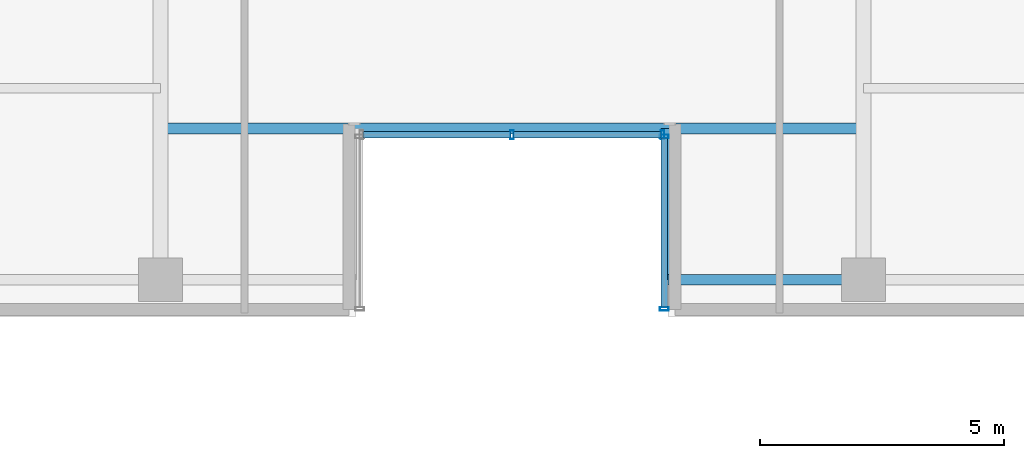
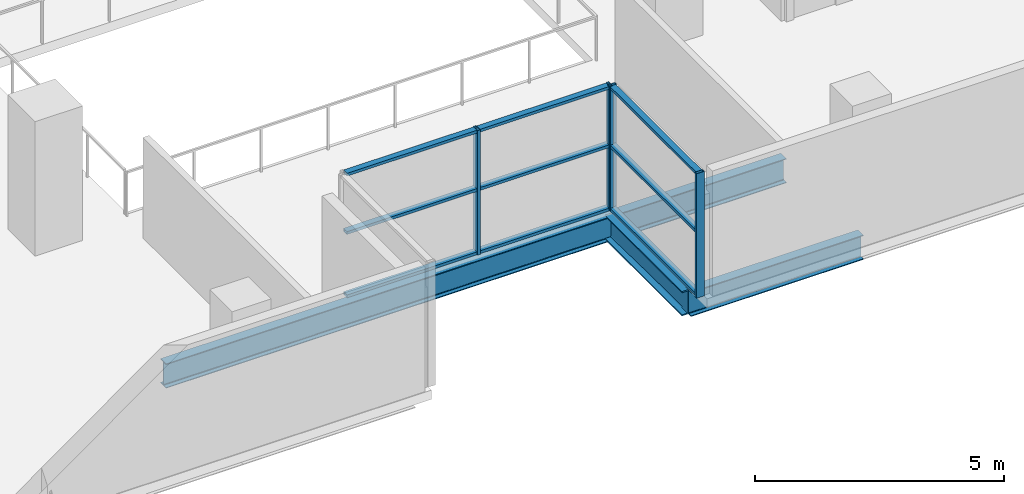
# One storey, part 9 of 30: 13 members, 3 beams, 2 elements without a shape of their own.
"""IFC4 building model written with IfcOpenShell, lengths in metres."""

from ifc_helpers import new_model, si_unit, direction, frame, origin, origin_2d, place, context, subcontext, project, spatial, hollow_rectangle, i_section, extrude, source, transform, mapped, material, layer, layer_set, material_profile, profile_set, type_object, element, aggregate, save


model = new_model("IFC4")

# Units and contexts
model_context = context("Model", 3, precision=1e-05, world=origin(), true_north=direction((0.0, 1.0)))
body_context = subcontext(model_context, "Body", "Model", "MODEL_VIEW")
ifc_project = project(units=[si_unit("LENGTHUNIT", "METRE"), si_unit("AREAUNIT", "SQUARE_METRE"), si_unit("VOLUMEUNIT", "CUBIC_METRE"), si_unit("PLANEANGLEUNIT", "RADIAN"), si_unit("MASSUNIT", "GRAM", prefix="KILO")], contexts=[model_context])

# Site, building, storey
site_placement = place(None, origin())
site = spatial("IfcSite", under=ifc_project, at=site_placement, CompositionType="ELEMENT")
building_placement = place(site_placement, origin())
building = spatial("IfcBuilding", under=site, at=building_placement, Name="Zarnakvel Exchange Tower", CompositionType="ELEMENT")
storey_placement = place(building_placement, frame((0.0, 0.0, 34.0)))
storey = spatial("IfcBuildingStorey", under=building, at=storey_placement, Name="L08", CompositionType="ELEMENT", Elevation=34.0)

# Beams
ifc_material_1 = material(Name="Steel S355", Category="steel")
ifc_material_profile_1 = material_profile(ifc_material_1, i_section(OverallWidth=0.300048828125, OverallDepth=0.60009765625, WebThickness=0.015380859375, FlangeThickness=0.030029296875, FilletRadius=0.027099609375, at=origin_2d()))
ifc_profile_set_1 = profile_set([ifc_material_profile_1], Name="Steel S355")
beam_type_1 = type_object("IfcBeamType", Name="G-04", PredefinedType="BEAM", material=ifc_profile_set_1)
beam_1_placement = place(storey_placement, frame((3.199951171875, -17.449951171875, -0.52490234375), z_axis=(0.0, 1.0, 0.0), x_axis=(-1.0, 0.0, 0.0)))
element("IfcBeam", 1, at=beam_1_placement, inside=storey, type_object=beam_type_1, Name="L08 South Slot East Cheek Beam", PredefinedType="BEAM", context=body_context, shape_type="SweptSolid", body=[
    extrude(i_section(OverallWidth=0.300048828125, OverallDepth=0.60009765625, WebThickness=0.015380859375, FlangeThickness=0.030029296875, FilletRadius=0.027099609375, at=origin_2d()), origin(), (0.0, 0.0, 1.0), 3.099853515625),
])
ifc_material_profile_2 = material_profile(ifc_material_1, i_section(OverallWidth=0.219970703125, OverallDepth=0.60009765625, WebThickness=0.011962890625, FlangeThickness=0.01904296875, FilletRadius=0.02392578125, at=origin_2d()))
ifc_profile_set_2 = profile_set([ifc_material_profile_2], Name="Steel S355")
beam_type_2 = type_object("IfcBeamType", Name="SP-01", PredefinedType="SPANDREL", material=ifc_profile_set_2)
beam_2_placement = place(storey_placement, frame((3.199951171875, -17.449951171875, -0.52490234375), z_axis=(1.0, 0.0, 0.0), x_axis=(0.0, 1.0, 0.0)))
element("IfcBeam", 2, at=beam_2_placement, inside=storey, type_object=beam_type_2, Name="L08 South Slot East Jamb Spandrel", PredefinedType="SPANDREL", context=body_context, shape_type="SweptSolid", body=[
    extrude(i_section(OverallWidth=0.219970703125, OverallDepth=0.60009765625, WebThickness=0.011962890625, FlangeThickness=0.01904296875, FilletRadius=0.02392578125, at=origin_2d()), origin(), (0.0, 0.0, 1.0), 4.0),
])
beam_3_placement = place(storey_placement, frame((-7.199951171875, -14.35009765625, -0.52490234375), z_axis=(1.0, 0.0, 0.0), x_axis=(0.0, 1.0, 0.0)))
element("IfcBeam", 3, at=beam_3_placement, inside=storey, type_object=beam_type_2, Name="L08 South Slot Head Trimmer Girder", PredefinedType="SPANDREL", context=body_context, shape_type="SweptSolid", body=[
    extrude(i_section(OverallWidth=0.219970703125, OverallDepth=0.60009765625, WebThickness=0.011962890625, FlangeThickness=0.01904296875, FilletRadius=0.02392578125, at=origin_2d()), origin(), (0.0, 0.0, 1.0), 14.39990234375),
])

# Curtain wall, members
ifc_material_2 = material(Name="Architectural Bronze Anodised Aluminium", Category="aluminium")
ifc_layer = layer(ifc_material_2, 0.179931640625)
ifc_layer_set = layer_set([ifc_layer], Name="Architectural Bronze Anodised Aluminium")
curtain_wall_type = type_object("IfcCurtainWallType", Name="CW-05", PredefinedType="NOTDEFINED", material=ifc_layer_set)
curtain_wall_1_placement = place(storey_placement, origin())
curtain_wall_1 = element("IfcCurtainWall", 4, at=curtain_wall_1_placement, inside=storey, type_object=curtain_wall_type, Name="L08 Curtain Wall CW-L08-SLE (CW-05)", PredefinedType="NOTDEFINED")
ifc_material_profile_3 = material_profile(ifc_material_2, hollow_rectangle(XDim=0.139892578125, YDim=0.070068359375, WallThickness=0.00390625, at=origin_2d()))
ifc_profile_set_3 = profile_set([ifc_material_profile_3], Name="Architectural Bronze Anodised Aluminium")
member_type_1 = type_object("IfcMemberType", Name="CWT-05", PredefinedType="USERDEFINED", material=ifc_profile_set_3)
shared_shape_1 = source(origin(), body_context, "Body", "SweptSolid", [
    extrude(hollow_rectangle(XDim=0.139892578125, YDim=0.070068359375, WallThickness=0.00390625, at=origin_2d()), origin(), (0.0, 0.0, 1.0), 3.4599609375),
])
member_1_placement = place(storey_placement, frame((3.1201171875, -14.550048828125, 0.034912109375), z_axis=(0.0, -1.0, 0.0), x_axis=(1.0, 0.0, 0.0)))
member_1 = element("IfcMember", 5, at=member_1_placement, type_object=member_type_1, Name="CW-05 transom 1.1", ObjectType="TRANSOM", PredefinedType="USERDEFINED", context=body_context, shape_type="MappedRepresentation", body=[
    mapped(shared_shape_1, transform((0.0, 0.0, 0.0), x_axis=(1.0, 0.0, 0.0), y_axis=(0.0, 1.0, 0.0), z_axis=(0.0, 0.0, 1.0), scale=1.0)),
])
member_2_placement = place(storey_placement, frame((3.1201171875, -14.550048828125, 1.588623046875), z_axis=(0.0, -1.0, 0.0), x_axis=(1.0, 0.0, 0.0)))
member_2 = element("IfcMember", 6, at=member_2_placement, type_object=member_type_1, Name="CW-05 transom 1.2", ObjectType="TRANSOM", PredefinedType="USERDEFINED", context=body_context, shape_type="MappedRepresentation", body=[
    mapped(shared_shape_1, transform((0.0, 0.0, 0.0), x_axis=(1.0, 0.0, 0.0), y_axis=(0.0, 1.0, 0.0), z_axis=(0.0, 0.0, 1.0), scale=1.0)),
])
member_3_placement = place(storey_placement, frame((3.1201171875, -14.550048828125, 3.02001953125), z_axis=(0.0, -1.0, 0.0), x_axis=(1.0, 0.0, 0.0)))
member_3 = element("IfcMember", 7, at=member_3_placement, type_object=member_type_1, Name="CW-05 transom 1.3", ObjectType="TRANSOM", PredefinedType="USERDEFINED", context=body_context, shape_type="MappedRepresentation", body=[
    mapped(shared_shape_1, transform((0.0, 0.0, 0.0), x_axis=(1.0, 0.0, 0.0), y_axis=(0.0, 1.0, 0.0), z_axis=(0.0, 0.0, 1.0), scale=1.0)),
])

curtain_wall_2_placement = place(storey_placement, origin())
curtain_wall_2 = element("IfcCurtainWall", 8, at=curtain_wall_2_placement, inside=storey, type_object=curtain_wall_type, Name="L08 Curtain Wall CW-L08-SLB (CW-05)", PredefinedType="NOTDEFINED")
shared_shape_2 = source(origin(), body_context, "Body", "SweptSolid", [
    extrude(hollow_rectangle(XDim=0.139892578125, YDim=0.070068359375, WallThickness=0.00390625, at=origin_2d()), origin(), (0.0, 0.0, 1.0), 3.01513671875),
])
member_4_placement = place(storey_placement, frame((-3.050048828125, -14.47998046875, 0.034912109375), z_axis=(1.0, 0.0, 0.0), x_axis=(0.0, 1.0, 0.0)))
member_4 = element("IfcMember", 9, at=member_4_placement, type_object=member_type_1, Name="CW-05 transom 1.1", ObjectType="TRANSOM", PredefinedType="USERDEFINED", context=body_context, shape_type="MappedRepresentation", body=[
    mapped(shared_shape_2, transform((0.0, 0.0, 0.0), x_axis=(1.0, 0.0, 0.0), y_axis=(0.0, 1.0, 0.0), z_axis=(0.0, 0.0, 1.0), scale=1.0)),
])
member_5_placement = place(storey_placement, frame((-3.050048828125, -14.47998046875, 1.588623046875), z_axis=(1.0, 0.0, 0.0), x_axis=(0.0, 1.0, 0.0)))
member_5 = element("IfcMember", 10, at=member_5_placement, type_object=member_type_1, Name="CW-05 transom 1.2", ObjectType="TRANSOM", PredefinedType="USERDEFINED", context=body_context, shape_type="MappedRepresentation", body=[
    mapped(shared_shape_2, transform((0.0, 0.0, 0.0), x_axis=(1.0, 0.0, 0.0), y_axis=(0.0, 1.0, 0.0), z_axis=(0.0, 0.0, 1.0), scale=1.0)),
])
member_6_placement = place(storey_placement, frame((-3.050048828125, -14.47998046875, 3.02001953125), z_axis=(1.0, 0.0, 0.0), x_axis=(0.0, 1.0, 0.0)))
member_6 = element("IfcMember", 11, at=member_6_placement, type_object=member_type_1, Name="CW-05 transom 1.3", ObjectType="TRANSOM", PredefinedType="USERDEFINED", context=body_context, shape_type="MappedRepresentation", body=[
    mapped(shared_shape_2, transform((0.0, 0.0, 0.0), x_axis=(1.0, 0.0, 0.0), y_axis=(0.0, 1.0, 0.0), z_axis=(0.0, 0.0, 1.0), scale=1.0)),
])
member_7_placement = place(storey_placement, frame((0.034912109375, -14.47998046875, 0.034912109375), z_axis=(1.0, 0.0, 0.0), x_axis=(0.0, 1.0, 0.0)))
member_7 = element("IfcMember", 12, at=member_7_placement, type_object=member_type_1, Name="CW-05 transom 2.1", ObjectType="TRANSOM", PredefinedType="USERDEFINED", context=body_context, shape_type="MappedRepresentation", body=[
    mapped(shared_shape_2, transform((0.0, 0.0, 0.0), x_axis=(1.0, 0.0, 0.0), y_axis=(0.0, 1.0, 0.0), z_axis=(0.0, 0.0, 1.0), scale=1.0)),
])
member_8_placement = place(storey_placement, frame((0.034912109375, -14.47998046875, 1.588623046875), z_axis=(1.0, 0.0, 0.0), x_axis=(0.0, 1.0, 0.0)))
member_8 = element("IfcMember", 13, at=member_8_placement, type_object=member_type_1, Name="CW-05 transom 2.2", ObjectType="TRANSOM", PredefinedType="USERDEFINED", context=body_context, shape_type="MappedRepresentation", body=[
    mapped(shared_shape_2, transform((0.0, 0.0, 0.0), x_axis=(1.0, 0.0, 0.0), y_axis=(0.0, 1.0, 0.0), z_axis=(0.0, 0.0, 1.0), scale=1.0)),
])
member_9_placement = place(storey_placement, frame((0.034912109375, -14.47998046875, 3.02001953125), z_axis=(1.0, 0.0, 0.0), x_axis=(0.0, 1.0, 0.0)))
member_9 = element("IfcMember", 14, at=member_9_placement, type_object=member_type_1, Name="CW-05 transom 2.3", ObjectType="TRANSOM", PredefinedType="USERDEFINED", context=body_context, shape_type="MappedRepresentation", body=[
    mapped(shared_shape_2, transform((0.0, 0.0, 0.0), x_axis=(1.0, 0.0, 0.0), y_axis=(0.0, 1.0, 0.0), z_axis=(0.0, 0.0, 1.0), scale=1.0)),
])
ifc_material_profile_4 = material_profile(ifc_material_2, hollow_rectangle(XDim=0.179931640625, YDim=0.070068359375, WallThickness=0.00390625, at=origin_2d()))
ifc_profile_set_4 = profile_set([ifc_material_profile_4], Name="Architectural Bronze Anodised Aluminium")
member_type_2 = type_object("IfcMemberType", Name="CWM-05", PredefinedType="MULLION", material=ifc_profile_set_4)
shared_shape_3 = source(origin(), body_context, "Body", "SweptSolid", [
    extrude(hollow_rectangle(XDim=0.179931640625, YDim=0.070068359375, WallThickness=0.00390625, at=origin_2d()), origin(), (0.0, 0.0, 1.0), 3.054931640625),
])
member_10_placement = place(storey_placement, frame((0.0, -14.47998046875, 0.0), z_axis=(0.0, 0.0, 1.0), x_axis=(0.0, 1.0, 0.0)))
member_10 = element("IfcMember", 15, at=member_10_placement, type_object=member_type_2, Name="CW-05 mullion 2", PredefinedType="MULLION", context=body_context, shape_type="MappedRepresentation", body=[
    mapped(shared_shape_3, transform((0.0, 0.0, 0.0), x_axis=(1.0, 0.0, 0.0), y_axis=(0.0, 1.0, 0.0), z_axis=(0.0, 0.0, 1.0), scale=1.0)),
])
member_11_placement = place(storey_placement, frame((3.0849609375, -14.47998046875, 0.0), z_axis=(0.0, 0.0, 1.0), x_axis=(0.0, 1.0, 0.0)))
member_11 = element("IfcMember", 16, at=member_11_placement, type_object=member_type_2, Name="CW-05 mullion 3", PredefinedType="MULLION", context=body_context, shape_type="MappedRepresentation", body=[
    mapped(shared_shape_3, transform((0.0, 0.0, 0.0), x_axis=(1.0, 0.0, 0.0), y_axis=(0.0, 1.0, 0.0), z_axis=(0.0, 0.0, 1.0), scale=1.0)),
])
aggregate(curtain_wall_2, [member_10, member_11, member_4, member_5, member_6, member_7, member_8, member_9])

# Member
member_12_placement = place(storey_placement, frame((3.1201171875, -14.514892578125, 0.0), z_axis=(0.0, 0.0, 1.0), x_axis=(1.0, 0.0, 0.0)))
member_12 = element("IfcMember", 17, at=member_12_placement, type_object=member_type_2, Name="CW-05 mullion 1", PredefinedType="MULLION", context=body_context, shape_type="MappedRepresentation", body=[
    mapped(shared_shape_3, transform((0.0, 0.0, 0.0), x_axis=(1.0, 0.0, 0.0), y_axis=(0.0, 1.0, 0.0), z_axis=(0.0, 0.0, 1.0), scale=1.0)),
])

member_13_placement = place(storey_placement, frame((3.1201171875, -18.044921875, 0.0), z_axis=(0.0, 0.0, 1.0), x_axis=(1.0, 0.0, 0.0)))
member_13 = element("IfcMember", 18, at=member_13_placement, type_object=member_type_2, Name="CW-05 mullion 2", PredefinedType="MULLION", context=body_context, shape_type="MappedRepresentation", body=[
    mapped(shared_shape_3, transform((0.0, 0.0, 0.0), x_axis=(1.0, 0.0, 0.0), y_axis=(0.0, 1.0, 0.0), z_axis=(0.0, 0.0, 1.0), scale=1.0)),
])

aggregate(curtain_wall_1, [member_12, member_13, member_1, member_2, member_3])

save(model, "model.ifc")
